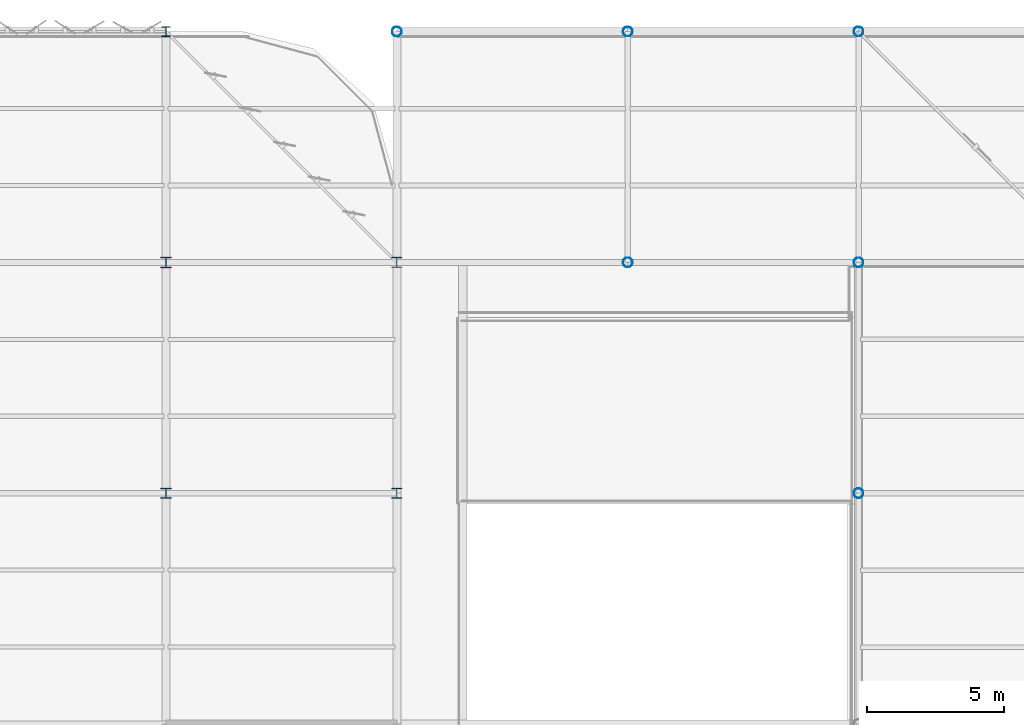
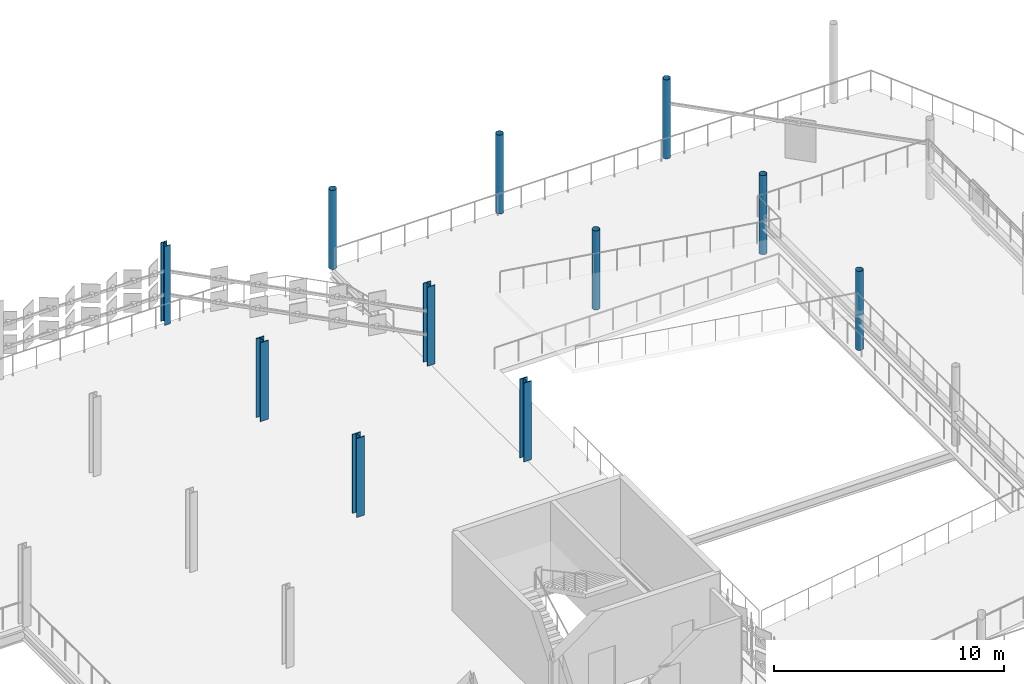
# One storey, part 20 of 184: 11 columns.
"""IFC4 building model written with IfcOpenShell, lengths in metres."""

from ifc_helpers import new_model, si_unit, direction, frame, origin, origin_2d, place, context, subcontext, project, spatial, hollow_circle, i_section, extrude, material, material_profile, profile_set, type_object, element, save


model = new_model("IFC4")

# Units and contexts
model_context = context("Model", 3, precision=1e-05, world=origin(), true_north=direction((0.0, 1.0)))
body_context = subcontext(model_context, "Body", "Model", "MODEL_VIEW")
ifc_project = project(units=[si_unit("LENGTHUNIT", "METRE"), si_unit("AREAUNIT", "SQUARE_METRE"), si_unit("VOLUMEUNIT", "CUBIC_METRE"), si_unit("PLANEANGLEUNIT", "RADIAN"), si_unit("MASSUNIT", "GRAM", prefix="KILO")], contexts=[model_context])

# Site, building, storey
site_placement = place(None, origin())
site = spatial("IfcSite", under=ifc_project, at=site_placement, CompositionType="ELEMENT")
building_placement = place(site_placement, origin())
building = spatial("IfcBuilding", under=site, at=building_placement, Name="Qalvenar Corner Mobility Hub", CompositionType="ELEMENT")
storey_placement = place(building_placement, frame((0.0, 0.0, 9.0)))
storey = spatial("IfcBuildingStorey", under=building, at=storey_placement, Name="L02", CompositionType="ELEMENT", Elevation=9.0)

# Columns
ifc_material = material(Name="Steel S355", Category="steel")
ifc_material_profile_1 = material_profile(ifc_material, hollow_circle(Radius=0.177734375, WallThickness=0.010009765625, at=origin_2d()), Name="CHS355.6x10")
ifc_profile_set_1 = profile_set([ifc_material_profile_1], Name="Steel S355")
column_type_1 = type_object("IfcColumnType", Name="COL-CHS355", PredefinedType="COLUMN", material=ifc_profile_set_1)
for number, where, z_axis, x_axis, name in (
    (1, (142.800048828125, 117.60009765625, 0.0), (0.0, 0.0, 1.0), (1.0, 0.0, 0.0), "Steel Column L02-G18-14"),
    (2, (151.199951171875, 109.199951171875, 0.0), (0.0, 0.0, 1.0), (1.0, 0.0, 0.0), "Steel Column L02-G19-13"),
    (3, (151.199951171875, 117.60009765625, 0.0), (0.0, 0.0, 1.0), (1.0, 0.0, 0.0), "Steel Column L02-G19-14"),
    (4, (159.60009765625, 100.800048828125, 0.0), (0.0, 0.0, 1.0), (1.0, 0.0, 0.0), "Steel Column L02-G20-12"),
    (5, (159.60009765625, 109.199951171875, 0.0), (0.0, 0.0, 1.0), (1.0, 0.0, 0.0), "Steel Column L02-G20-13"),
    (6, (159.60009765625, 117.60009765625, 0.0), (0.0, 0.0, 1.0), (1.0, 0.0, 0.0), "Steel Column L02-G20-14"),
):
    element("IfcColumn", number, at=place(storey_placement, frame(where, z_axis=z_axis, x_axis=x_axis)), inside=storey, type_object=column_type_1, Name=name, PredefinedType="COLUMN", context=body_context, shape_type="SweptSolid", body=[
        extrude(hollow_circle(Radius=0.177734375, WallThickness=0.010009765625, at=origin_2d()), origin(), (0.0, 0.0, 1.0), 4.199951171875),
    ])
ifc_material_profile_2 = material_profile(ifc_material, i_section(OverallWidth=0.376953125, OverallDepth=0.386962890625, WebThickness=0.0224609375, FlangeThickness=0.035888671875, FilletRadius=0.014892578125, at=origin_2d()), Name="HD360x262")
ifc_profile_set_2 = profile_set([ifc_material_profile_2], Name="Steel S355")
column_type_2 = type_object("IfcColumnType", Name="COL-HD360X262", PredefinedType="COLUMN", material=ifc_profile_set_2)
for number, where, z_axis, x_axis, name in (
    (7, (142.800048828125, 100.800048828125, 0.0), (0.0, 0.0, 1.0), (1.0, 0.0, 0.0), "Steel Column L02-G18-12"),
    (8, (142.800048828125, 109.199951171875, 0.0), (0.0, 0.0, 1.0), (1.0, 0.0, 0.0), "Steel Column L02-G18-13"),
):
    element("IfcColumn", number, at=place(storey_placement, frame(where, z_axis=z_axis, x_axis=x_axis)), inside=storey, type_object=column_type_2, Name=name, PredefinedType="COLUMN", context=body_context, shape_type="SweptSolid", body=[
        extrude(i_section(OverallWidth=0.376953125, OverallDepth=0.386962890625, WebThickness=0.0224609375, FlangeThickness=0.035888671875, FilletRadius=0.014892578125, at=origin_2d()), origin(), (0.0, 0.0, 1.0), 4.199951171875),
    ])
ifc_material_profile_3 = material_profile(ifc_material, i_section(OverallWidth=0.40087890625, OverallDepth=0.39892578125, WebThickness=0.02490234375, FlangeThickness=0.03955078125, FilletRadius=0.014892578125, at=origin_2d()), Name="HD400x314")
ifc_profile_set_3 = profile_set([ifc_material_profile_3], Name="Steel S355")
column_type_3 = type_object("IfcColumnType", Name="COL-HD400X314", PredefinedType="COLUMN", material=ifc_profile_set_3)
for number, where, z_axis, x_axis, name in (
    (9, (134.39990234375, 100.800048828125, 0.0), (0.0, 0.0, 1.0), (1.0, 0.0, 0.0), "Steel Column L02-G17-12"),
    (10, (134.39990234375, 109.199951171875, 0.0), (0.0, 0.0, 1.0), (1.0, 0.0, 0.0), "Steel Column L02-G17-13"),
):
    element("IfcColumn", number, at=place(storey_placement, frame(where, z_axis=z_axis, x_axis=x_axis)), inside=storey, type_object=column_type_3, Name=name, PredefinedType="COLUMN", context=body_context, shape_type="SweptSolid", body=[
        extrude(i_section(OverallWidth=0.40087890625, OverallDepth=0.39892578125, WebThickness=0.02490234375, FlangeThickness=0.03955078125, FilletRadius=0.014892578125, at=origin_2d()), origin(), (0.0, 0.0, 1.0), 4.199951171875),
    ])
ifc_material_profile_4 = material_profile(ifc_material, i_section(OverallWidth=0.300048828125, OverallDepth=0.360107421875, WebThickness=0.012451171875, FlangeThickness=0.0224609375, FilletRadius=0.027099609375, at=origin_2d()), Name="HEB360")
ifc_profile_set_4 = profile_set([ifc_material_profile_4], Name="Steel S355")
column_type_4 = type_object("IfcColumnType", Name="COL-HEB360", PredefinedType="COLUMN", material=ifc_profile_set_4)
column_placement = place(storey_placement, frame((134.39990234375, 117.60009765625, 0.0), z_axis=(0.0, 0.0, 1.0), x_axis=(1.0, 0.0, 0.0)))
element("IfcColumn", 11, at=column_placement, inside=storey, type_object=column_type_4, Name="Steel Column L02-G17-14", PredefinedType="COLUMN", context=body_context, shape_type="SweptSolid", body=[
    extrude(i_section(OverallWidth=0.300048828125, OverallDepth=0.360107421875, WebThickness=0.012451171875, FlangeThickness=0.0224609375, FilletRadius=0.027099609375, at=origin_2d()), origin(), (0.0, 0.0, 1.0), 4.199951171875),
])

save(model, "model.ifc")
